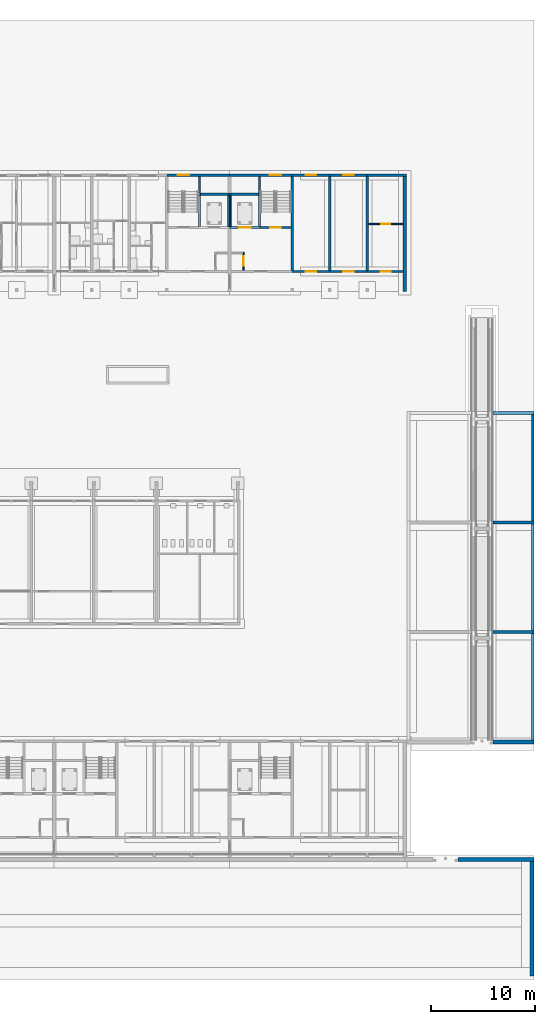
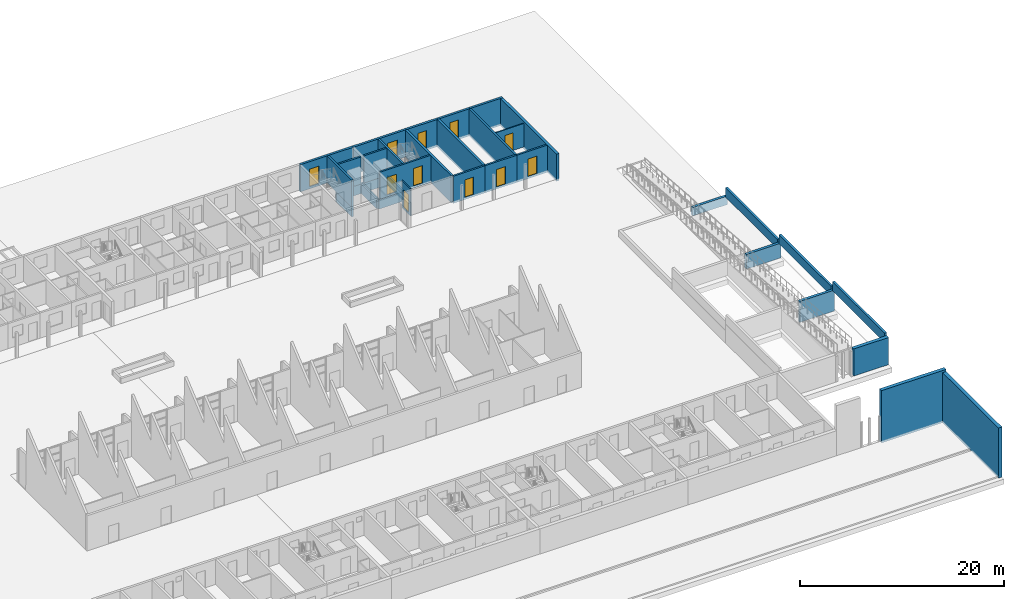
# One storey, part 70 of 112: 35 walls, 11 doors, 11 openings.
"""IFC4 building model written with IfcOpenShell, lengths in metres."""

from ifc_helpers import new_model, si_unit, direction, frame, frame_2d, origin, place, context, subcontext, project, spatial, rectangle, extrude, material, layer, layer_set, type_object, element, fill, save


model = new_model("IFC4")

# Units and contexts
model_context = context("Model", 3, precision=1e-05, world=origin(), true_north=direction((0.0, 1.0)))
body_context = subcontext(model_context, "Body", "Model", "MODEL_VIEW")
ifc_project = project(units=[si_unit("LENGTHUNIT", "METRE"), si_unit("AREAUNIT", "SQUARE_METRE"), si_unit("VOLUMEUNIT", "CUBIC_METRE"), si_unit("PLANEANGLEUNIT", "RADIAN"), si_unit("MASSUNIT", "GRAM", prefix="KILO")], contexts=[model_context])

# Site, building, storey
site_placement = place(None, origin())
site = spatial("IfcSite", under=ifc_project, at=site_placement, CompositionType="ELEMENT")
building_placement = place(site_placement, origin())
building = spatial("IfcBuilding", under=site, at=building_placement, Name="Ridgestep Commons", CompositionType="ELEMENT")
storey_placement = place(building_placement, origin())
storey = spatial("IfcBuildingStorey", under=building, at=storey_placement, Name="L00", CompositionType="ELEMENT", Elevation=0.0)

# Walls
ifc_material_1 = material(Name="Concrete C30/37", Category="concrete")
ifc_layer_1 = layer(ifc_material_1, 0.300048828125)
ifc_layer_set_1 = layer_set([ifc_layer_1], Name="Community retaining wall 300")
wall_type_1 = type_object("IfcWallType", Name="Community retaining wall 300", PredefinedType="SOLIDWALL", material=ifc_layer_set_1)
wall_1_placement = place(storey_placement, frame((256.050048828125, 54.35009765625, -0.25), z_axis=(0.0, 0.0, 1.0), x_axis=(1.0, 0.0, 0.0)))
element("IfcWall", 1, at=wall_1_placement, inside=storey, type_object=wall_type_1, Name="Bank step wall", PredefinedType="SOLIDWALL", context=body_context, shape_type="SweptSolid", body=[
    extrude(rectangle(XDim=3.93994140625, YDim=0.300048828125, at=frame_2d((1.969970703125, 0.0))), origin(), (0.0, 0.0, 1.0), 1.0),
])
wall_2_placement = place(storey_placement, frame((256.050048828125, 43.85009765625, -0.25), z_axis=(0.0, 0.0, 1.0), x_axis=(1.0, 0.0, 0.0)))
element("IfcWall", 2, at=wall_2_placement, inside=storey, type_object=wall_type_1, Name="Bank step wall", PredefinedType="SOLIDWALL", context=body_context, shape_type="SweptSolid", body=[
    extrude(rectangle(XDim=3.93994140625, YDim=0.300048828125, at=frame_2d((1.969970703125, 0.0))), origin(), (0.0, 0.0, 1.0), 1.75),
])
wall_3_placement = place(storey_placement, frame((256.050048828125, 33.35009765625, -0.25), z_axis=(0.0, 0.0, 1.0), x_axis=(1.0, 0.0, 0.0)))
element("IfcWall", 3, at=wall_3_placement, inside=storey, type_object=wall_type_1, Name="Bank step wall", PredefinedType="SOLIDWALL", context=body_context, shape_type="SweptSolid", body=[
    extrude(rectangle(XDim=3.93994140625, YDim=0.300048828125, at=frame_2d((1.969970703125, 0.0))), origin(), (0.0, 0.0, 1.0), 2.5),
])
ifc_material_2 = material(Name="Concrete C30/37", Category="concrete")
ifc_layer_2 = layer(ifc_material_2, 0.39990234375)
ifc_layer_set_2 = layer_set([ifc_layer_2], Name="Community retaining wall 400")
wall_type_2 = type_object("IfcWallType", Name="Community retaining wall 400", PredefinedType="SOLIDWALL", material=ifc_layer_set_2)
wall_4_placement = place(storey_placement, frame((256.050048828125, 22.800048828125, -0.25), z_axis=(0.0, 0.0, 1.0), x_axis=(1.0, 0.0, 0.0)))
element("IfcWall", 4, at=wall_4_placement, inside=storey, type_object=wall_type_2, Name="Community retaining wall 400", PredefinedType="SOLIDWALL", context=body_context, shape_type="SweptSolid", body=[
    extrude(rectangle(XDim=3.93994140625, YDim=0.39990234375, at=frame_2d((1.969970703125, 0.0))), origin(), (0.0, 0.0, 1.0), 3.25),
])
wall_5_placement = place(storey_placement, frame((252.699951171875, 11.550048828125, -0.25), z_axis=(0.0, 0.0, 1.0), x_axis=(1.0, 0.0, 0.0)))
element("IfcWall", 5, at=wall_5_placement, inside=storey, type_object=wall_type_2, Name="Community retaining wall 400", PredefinedType="SOLIDWALL", context=body_context, shape_type="SweptSolid", body=[
    extrude(rectangle(XDim=7.2900390625, YDim=0.39990234375, at=frame_2d((3.64501953125, 0.0))), origin(), (0.0, 0.0, 1.0), 6.25),
])
wall_6_placement = place(storey_placement, frame((259.798095703125, 0.402099609375, -0.25), z_axis=(0.0, 0.0, 1.0), x_axis=(0.0, 1.0, 0.0)))
element("IfcWall", 6, at=wall_6_placement, inside=storey, type_object=wall_type_2, Name="South arcade end wall", PredefinedType="SOLIDWALL", context=body_context, shape_type="SweptSolid", body=[
    extrude(rectangle(XDim=10.947998046875, YDim=0.39990234375, at=frame_2d((5.47412109375, 0.0))), origin(), (0.0, 0.0, 1.0), 6.0),
])
ifc_material_3 = material(Name="Precast concrete C40/50", Category="concrete")
ifc_layer_3 = layer(ifc_material_3, 0.25)
ifc_layer_set_3 = layer_set([ifc_layer_3], Name="Community terrace parapet 250")
wall_type_3 = type_object("IfcWallType", Name="Community terrace parapet 250", PredefinedType="PARAPET", material=ifc_layer_set_3)
for number, where, z_axis, x_axis, name in (
    (7, (259.864990234375, 44.0, 0.75), (0.0, 0.0, 1.0), (0.0, 1.0, 0.0), "Terrace parapet"),
    (8, (259.864990234375, 33.5, 1.5), (0.0, 0.0, 1.0), (0.0, 1.0, 0.0), "Terrace parapet"),
    (9, (259.864990234375, 23.0, 2.25), (0.0, 0.0, 1.0), (0.0, 1.0, 0.0), "Terrace parapet"),
):
    element("IfcWall", number, at=place(storey_placement, frame(where, z_axis=z_axis, x_axis=x_axis)), inside=storey, type_object=wall_type_3, Name=name, PredefinedType="PARAPET", context=body_context, shape_type="SweptSolid", body=[
        extrude(rectangle(XDim=10.199951171875, YDim=0.25, at=frame_2d((5.10009765625, 0.0))), origin(), (0.0, 0.0, 1.0), 1.10009765625),
    ])
ifc_material_4 = material(Name="Concrete C30/37", Category="concrete")
ifc_layer_4 = layer(ifc_material_4, 0.25)
ifc_layer_set_4 = layer_set([ifc_layer_4], Name="Core cross wall 250")
wall_type_4 = type_object("IfcWallType", Name="Core cross wall 250", PredefinedType="SHEAR", material=ifc_layer_set_4)
wall_7_placement = place(storey_placement, frame((236.800048828125, 68.0, -0.25), z_axis=(0.0, 0.0, 1.0), x_axis=(0.0, 1.0, 0.0)))
element("IfcWall", 10, at=wall_7_placement, inside=storey, type_object=wall_type_4, Name="Cross wall C-00-2368", PredefinedType="SHEAR", context=body_context, shape_type="SweptSolid", body=[
    extrude(rectangle(XDim=9.0, YDim=0.25, at=frame_2d((4.5, 0.0))), origin(), (0.0, 0.0, 1.0), 3.25),
])

# Wall, opening, door
ifc_material_5 = material(Name="Concrete C30/37", Category="concrete")
ifc_layer_5 = layer(ifc_material_5, 0.1201171875)
ifc_layer_set_5 = layer_set([ifc_layer_5], Name="Core wall 120")
wall_type_5 = type_object("IfcWallType", Name="Core wall 120", PredefinedType="SHEAR", material=ifc_layer_set_5)
wall_8_placement = place(storey_placement, frame((232.139892578125, 68.0, -0.25), z_axis=(0.0, 0.0, 1.0), x_axis=(0.0, 1.0, 0.0)))
wall_8 = element("IfcWall", 11, at=wall_8_placement, inside=storey, type_object=wall_type_5, Name="Core riser w wall C6C L00", PredefinedType="SHEAR", context=body_context, shape_type="SweptSolid", body=[
    extrude(rectangle(XDim=1.719970703125, YDim=0.1201171875, at=frame_2d((0.85986328125, 0.0))), origin(), (0.0, 0.0, 1.0), 3.25),
])
opening_1_placement = place(wall_8_placement, frame((0.449951171875, 0.0, 0.25)))
opening_1 = element("IfcOpeningElement", 12, at=opening_1_placement, cuts=wall_8, Name="Opening C6C/00/4", PredefinedType="OPENING", context=body_context, shape_type="SweptSolid", body=[
    extrude(rectangle(XDim=0.89990234375, YDim=2.10009765625, at=frame_2d((0.449951171875, 1.050048828125))), frame((0.0, 0.070068359375, 0.0), z_axis=(0.0, -1.0, 0.0), x_axis=(1.0, 0.0, 0.0)), (0.0, 0.0, 1.0), 0.14013671875),
])
ifc_material_6 = material(Name="Steel fire door", Category="steel")
door_type_1 = type_object("IfcDoorType", Name="Riser door 900 x 2100 FD60", OperationType="NOTDEFINED", PredefinedType="DOOR", material=ifc_material_6)
door_1_placement = place(opening_1_placement, origin())
door_1 = element("IfcDoor", 13, at=door_1_placement, inside=storey, type_object=door_type_1, Name="Riser door C6C/00/4", OperationType="SINGLE_SWING_RIGHT", OverallHeight=2.10009765625, OverallWidth=0.89990234375, PredefinedType="DOOR", context=body_context, shape_type="SweptSolid", body=[
    extrude(rectangle(XDim=0.89990234375, YDim=2.10009765625, at=frame_2d((0.449951171875, 1.050048828125))), frame((0.0, 0.02490234375, 0.0), z_axis=(0.0, -1.0, 0.0), x_axis=(1.0, 0.0, 0.0)), (0.0, 0.0, 1.0), 0.050048828125),
])
fill(opening_1, door_1)

# Walls
ifc_material_7 = material(Name="Concrete C30/37", Category="concrete")
ifc_layer_6 = layer(ifc_material_7, 0.14990234375)
ifc_layer_set_6 = layer_set([ifc_layer_6], Name="Core wall 150")
wall_type_6 = type_object("IfcWallType", Name="Core wall 150", PredefinedType="SHEAR", material=ifc_layer_set_6)
for number, where, z_axis, x_axis, name in (
    (14, (230.72509765625, 72.199951171875, -1.39990234375), (0.0, 0.0, 1.0), (0.0, 1.0, 0.0), "Lift pit wall C5C"),
    (15, (230.875, 72.199951171875, -1.39990234375), (0.0, 0.0, 1.0), (0.0, 1.0, 0.0), "Lift pit wall C6C"),
):
    element("IfcWall", number, at=place(storey_placement, frame(where, z_axis=z_axis, x_axis=x_axis)), inside=storey, type_object=wall_type_6, Name=name, PredefinedType="SHEAR", context=body_context, shape_type="SweptSolid", body=[
        extrude(rectangle(XDim=3.0, YDim=0.14990234375, at=frame_2d((1.5, 0.0))), origin(), (0.0, 0.0, 1.0), 1.14990234375),
    ])
ifc_material_8 = material(Name="Concrete C30/37", Category="concrete")
ifc_layer_7 = layer(ifc_material_8, 0.199951171875)
ifc_layer_set_7 = layer_set([ifc_layer_7], Name="Core wall 200")
wall_type_7 = type_object("IfcWallType", Name="Core wall 200", PredefinedType="SHEAR", material=ifc_layer_set_7)
wall_9_placement = place(storey_placement, frame((227.925048828125, 72.199951171875, -0.25), z_axis=(0.0, 0.0, 1.0), x_axis=(0.0, 1.0, 0.0)))
element("IfcWall", 16, at=wall_9_placement, inside=storey, type_object=wall_type_7, Name="Core stair wall C5C L00", PredefinedType="SHEAR", context=body_context, shape_type="SweptSolid", body=[
    extrude(rectangle(XDim=4.800048828125, YDim=0.199951171875, at=frame_2d((2.39990234375, 0.0))), origin(), (0.0, 0.0, 1.0), 3.25),
])
wall_10_placement = place(storey_placement, frame((228.02490234375, 75.300048828125, -0.25), z_axis=(0.0, 0.0, 1.0), x_axis=(1.0, 0.0, 0.0)))
element("IfcWall", 17, at=wall_10_placement, inside=storey, type_object=wall_type_7, Name="Core duct wall C5C L00", PredefinedType="SHEAR", context=body_context, shape_type="SweptSolid", body=[
    extrude(rectangle(XDim=2.625, YDim=0.199951171875, at=frame_2d((1.3125, 0.0))), origin(), (0.0, 0.0, 1.0), 3.25),
])

# Wall, openings, doors
wall_11_placement = place(storey_placement, frame((230.949951171875, 72.10009765625, -0.25), z_axis=(0.0, 0.0, 1.0), x_axis=(1.0, 0.0, 0.0)))
wall_11 = element("IfcWall", 18, at=wall_11_placement, inside=storey, type_object=wall_type_7, Name="Core lobby wall C6C L00", PredefinedType="SHEAR", context=body_context, shape_type="SweptSolid", body=[
    extrude(rectangle(XDim=5.72509765625, YDim=0.199951171875, at=frame_2d((2.862548828125, 0.0))), origin(), (0.0, 0.0, 1.0), 3.25),
])
opening_2_placement = place(wall_11_placement, frame((3.77490234375, 0.0, 0.25)))
opening_2 = element("IfcOpeningElement", 19, at=opening_2_placement, cuts=wall_11, Name="Opening C6C/00/2", PredefinedType="OPENING", context=body_context, shape_type="SweptSolid", body=[
    extrude(rectangle(XDim=1.0, YDim=2.10009765625, at=frame_2d((0.5, 1.050048828125))), frame((0.0, 0.10986328125, 0.0), z_axis=(0.0, -1.0, 0.0), x_axis=(1.0, 0.0, 0.0)), (0.0, 0.0, 1.0), 0.219970703125),
])
opening_3_placement = place(wall_11_placement, frame((0.762451171875, 0.0, 0.25)))
opening_3 = element("IfcOpeningElement", 20, at=opening_3_placement, cuts=wall_11, Name="Opening C6C/00/3", PredefinedType="OPENING", context=body_context, shape_type="SweptSolid", body=[
    extrude(rectangle(XDim=1.10009765625, YDim=2.10009765625, at=frame_2d((0.550048828125, 1.050048828125))), frame((0.0, 0.10986328125, 0.0), z_axis=(0.0, -1.0, 0.0), x_axis=(1.0, 0.0, 0.0)), (0.0, 0.0, 1.0), 0.219970703125),
])
ifc_material_9 = material(Name="Stainless steel", Category="steel")
door_type_2 = type_object("IfcDoorType", Name="Lift landing door 1100 x 2100 FD60", OperationType="DOUBLE_DOOR_SLIDING", PredefinedType="DOOR", material=ifc_material_9)
door_2_placement = place(opening_3_placement, origin())
door_2 = element("IfcDoor", 21, at=door_2_placement, inside=storey, type_object=door_type_2, Name="Landing door LD C6C L00", OperationType="DOUBLE_DOOR_SLIDING", OverallHeight=2.10009765625, OverallWidth=1.10009765625, PredefinedType="DOOR", context=body_context, shape_type="SweptSolid", body=[
    extrude(rectangle(XDim=1.10009765625, YDim=2.10009765625, at=frame_2d((0.550048828125, 1.050048828125))), frame((0.0, 0.02490234375, 0.0), z_axis=(0.0, -1.0, 0.0), x_axis=(1.0, 0.0, 0.0)), (0.0, 0.0, 1.0), 0.050048828125),
])
fill(opening_3, door_2)
ifc_material_10 = material(Name="Steel fire door", Category="steel")
door_type_3 = type_object("IfcDoorType", Name="Stair door 1000 x 2100 FD60", OperationType="NOTDEFINED", PredefinedType="DOOR", material=ifc_material_10)
door_3_placement = place(opening_2_placement, origin())
door_3 = element("IfcDoor", 22, at=door_3_placement, inside=storey, type_object=door_type_3, Name="Stair door C6C/00/2", OperationType="SINGLE_SWING_RIGHT", OverallHeight=2.10009765625, OverallWidth=1.0, PredefinedType="DOOR", context=body_context, shape_type="SweptSolid", body=[
    extrude(rectangle(XDim=1.0, YDim=2.10009765625, at=frame_2d((0.5, 1.050048828125))), frame((0.0, 0.02490234375, 0.0), z_axis=(0.0, -1.0, 0.0), x_axis=(1.0, 0.0, 0.0)), (0.0, 0.0, 1.0), 0.050048828125),
])
fill(opening_2, door_3)

# Walls
wall_12_placement = place(storey_placement, frame((233.675048828125, 72.199951171875, -0.25), z_axis=(0.0, 0.0, 1.0), x_axis=(0.0, 1.0, 0.0)))
element("IfcWall", 23, at=wall_12_placement, inside=storey, type_object=wall_type_7, Name="Core stair wall C6C L00", PredefinedType="SHEAR", context=body_context, shape_type="SweptSolid", body=[
    extrude(rectangle(XDim=4.800048828125, YDim=0.199951171875, at=frame_2d((2.39990234375, 0.0))), origin(), (0.0, 0.0, 1.0), 3.25),
])
wall_13_placement = place(storey_placement, frame((230.949951171875, 75.300048828125, -0.25), z_axis=(0.0, 0.0, 1.0), x_axis=(1.0, 0.0, 0.0)))
element("IfcWall", 24, at=wall_13_placement, inside=storey, type_object=wall_type_7, Name="Core duct wall C6C L00", PredefinedType="SHEAR", context=body_context, shape_type="SweptSolid", body=[
    extrude(rectangle(XDim=2.625, YDim=0.199951171875, at=frame_2d((1.3125, 0.0))), origin(), (0.0, 0.0, 1.0), 3.25),
])
wall_14_placement = place(storey_placement, frame((227.824951171875, 75.300048828125, -1.39990234375), z_axis=(0.0, 0.0, 1.0), x_axis=(1.0, 0.0, 0.0)))
element("IfcWall", 25, at=wall_14_placement, inside=storey, type_object=wall_type_7, Name="Lift pit wall C5C", PredefinedType="SHEAR", context=body_context, shape_type="SweptSolid", body=[
    extrude(rectangle(XDim=2.97509765625, YDim=0.199951171875, at=frame_2d((1.487548828125, 0.0))), origin(), (0.0, 0.0, 1.0), 1.14990234375),
])
wall_15_placement = place(storey_placement, frame((227.925048828125, 72.199951171875, -1.39990234375), z_axis=(0.0, 0.0, 1.0), x_axis=(0.0, 1.0, 0.0)))
element("IfcWall", 26, at=wall_15_placement, inside=storey, type_object=wall_type_7, Name="Lift pit wall C5C", PredefinedType="SHEAR", context=body_context, shape_type="SweptSolid", body=[
    extrude(rectangle(XDim=3.0, YDim=0.199951171875, at=frame_2d((1.5, 0.0))), origin(), (0.0, 0.0, 1.0), 1.14990234375),
])
for number, where, z_axis, x_axis, name in (
    (27, (230.800048828125, 72.10009765625, -1.39990234375), (0.0, 0.0, 1.0), (1.0, 0.0, 0.0), "Lift pit wall C6C"),
    (28, (230.800048828125, 75.300048828125, -1.39990234375), (0.0, 0.0, 1.0), (1.0, 0.0, 0.0), "Lift pit wall C6C"),
):
    element("IfcWall", number, at=place(storey_placement, frame(where, z_axis=z_axis, x_axis=x_axis)), inside=storey, type_object=wall_type_7, Name=name, PredefinedType="SHEAR", context=body_context, shape_type="SweptSolid", body=[
        extrude(rectangle(XDim=2.974853515625, YDim=0.199951171875, at=frame_2d((1.4873046875, 0.0))), origin(), (0.0, 0.0, 1.0), 1.14990234375),
    ])
wall_16_placement = place(storey_placement, frame((233.675048828125, 72.199951171875, -1.39990234375), z_axis=(0.0, 0.0, 1.0), x_axis=(0.0, 1.0, 0.0)))
element("IfcWall", 29, at=wall_16_placement, inside=storey, type_object=wall_type_7, Name="Lift pit wall C6C", PredefinedType="SHEAR", context=body_context, shape_type="SweptSolid", body=[
    extrude(rectangle(XDim=3.0, YDim=0.199951171875, at=frame_2d((1.5, 0.0))), origin(), (0.0, 0.0, 1.0), 1.14990234375),
])
ifc_material_11 = material(Name="Precast concrete C40/50", Category="concrete")
ifc_layer_8 = layer(ifc_material_11, 0.199951171875)
ifc_layer_set_8 = layer_set([ifc_layer_8], Name="Cross wall 200")
wall_type_8 = type_object("IfcWallType", Name="Cross wall 200", PredefinedType="SHEAR", material=ifc_layer_set_8)
wall_17_placement = place(storey_placement, frame((244.0, 68.0, -0.25), z_axis=(0.0, 0.0, 1.0), x_axis=(0.0, 1.0, 0.0)))
element("IfcWall", 30, at=wall_17_placement, inside=storey, type_object=wall_type_8, Name="Cross wall C-00-2440", PredefinedType="SHEAR", context=body_context, shape_type="SweptSolid", body=[
    extrude(rectangle(XDim=9.0, YDim=0.199951171875, at=frame_2d((4.5, 0.0))), origin(), (0.0, 0.0, 1.0), 3.25),
])
ifc_material_12 = material(Name="Precast concrete C40/50", Category="concrete")
ifc_layer_9 = layer(ifc_material_12, 0.25)
ifc_layer_set_9 = layer_set([ifc_layer_9], Name="Cross wall 250")
wall_type_9 = type_object("IfcWallType", Name="Cross wall 250", PredefinedType="SHEAR", material=ifc_layer_set_9)
wall_18_placement = place(storey_placement, frame((240.39990234375, 68.0, -0.25), z_axis=(0.0, 0.0, 1.0), x_axis=(0.0, 1.0, 0.0)))
element("IfcWall", 31, at=wall_18_placement, inside=storey, type_object=wall_type_9, Name="Cross wall C-00-2404", PredefinedType="SHEAR", context=body_context, shape_type="SweptSolid", body=[
    extrude(rectangle(XDim=9.0, YDim=0.25, at=frame_2d((4.5, 0.0))), origin(), (0.0, 0.0, 1.0), 3.25),
])
ifc_material_13 = material(Name="Precast concrete C40/50", Category="concrete")
ifc_layer_10 = layer(ifc_material_13, 0.300048828125)
ifc_layer_set_10 = layer_set([ifc_layer_10], Name="Exposed division wall 300")
wall_type_10 = type_object("IfcWallType", Name="Exposed division wall 300", PredefinedType="SHEAR", material=ifc_layer_set_10)
wall_19_placement = place(storey_placement, frame((247.60009765625, 66.0, -0.25), z_axis=(0.0, 0.0, 1.0), x_axis=(0.0, 1.0, 0.0)))
element("IfcWall", 32, at=wall_19_placement, inside=storey, type_object=wall_type_10, Name="Cross wall C-00-2476", PredefinedType="SHEAR", context=body_context, shape_type="SweptSolid", body=[
    extrude(rectangle(XDim=11.0, YDim=0.300048828125, at=frame_2d((5.5, 0.0))), origin(), (0.0, 0.0, 1.0), 3.25),
])

# Wall, opening, door
ifc_material_14 = material(Name="Precast concrete C40/50", Category="concrete")
ifc_layer_11 = layer(ifc_material_14, 0.25)
ifc_layer_set_11 = layer_set([ifc_layer_11], Name="North facade panel 250")
wall_type_11 = type_object("IfcWallType", Name="North facade panel 250", PredefinedType="SOLIDWALL", material=ifc_layer_set_11)
wall_20_placement = place(storey_placement, frame((224.800048828125, 77.125, -0.25), z_axis=(0.0, 0.0, 1.0), x_axis=(1.0, 0.0, 0.0)))
wall_20 = element("IfcWall", 33, at=wall_20_placement, inside=storey, type_object=wall_type_11, Name="North panel C5C L00", PredefinedType="SOLIDWALL", context=body_context, shape_type="SweptSolid", body=[
    extrude(rectangle(XDim=6.0, YDim=0.25, at=frame_2d((3.0, 0.0))), origin(), (0.0, 0.0, 1.0), 3.25),
])
opening_4_placement = place(wall_20_placement, frame((1.02490234375, 0.0, 0.25)))
opening_4 = element("IfcOpeningElement", 34, at=opening_4_placement, cuts=wall_20, Name="Opening C5C/00/5", PredefinedType="OPENING", context=body_context, shape_type="SweptSolid", body=[
    extrude(rectangle(XDim=1.10009765625, YDim=2.10009765625, at=frame_2d((0.550048828125, 1.050048828125))), frame((0.0, 0.135009765625, 0.0), z_axis=(0.0, -1.0, 0.0), x_axis=(1.0, 0.0, 0.0)), (0.0, 0.0, 1.0), 0.27001953125),
])
ifc_material_15 = material(Name="Steel fire door", Category="steel")
door_type_4 = type_object("IfcDoorType", Name="Stair exit door 1100 x 2100 FD60", OperationType="NOTDEFINED", PredefinedType="DOOR", material=ifc_material_15)
door_4_placement = place(opening_4_placement, origin())
door_4 = element("IfcDoor", 35, at=door_4_placement, inside=storey, type_object=door_type_4, Name="Stair exit door C5C/00/5", OperationType="SINGLE_SWING_LEFT", OverallHeight=2.10009765625, OverallWidth=1.10009765625, PredefinedType="DOOR", context=body_context, shape_type="SweptSolid", body=[
    extrude(rectangle(XDim=1.10009765625, YDim=2.10009765625, at=frame_2d((0.550048828125, 1.050048828125))), frame((0.0, 0.02490234375, 0.0), z_axis=(0.0, -1.0, 0.0), x_axis=(1.0, 0.0, 0.0)), (0.0, 0.0, 1.0), 0.050048828125),
])
fill(opening_4, door_4)

wall_21_placement = place(storey_placement, frame((230.800048828125, 77.125, -0.25), z_axis=(0.0, 0.0, 1.0), x_axis=(1.0, 0.0, 0.0)))
wall_21 = element("IfcWall", 36, at=wall_21_placement, inside=storey, type_object=wall_type_11, Name="North panel C6C L00", PredefinedType="SOLIDWALL", context=body_context, shape_type="SweptSolid", body=[
    extrude(rectangle(XDim=6.0, YDim=0.25, at=frame_2d((3.0, 0.0))), origin(), (0.0, 0.0, 1.0), 3.25),
])
opening_5_placement = place(wall_21_placement, frame((3.875, 0.0, 0.25)))
opening_5 = element("IfcOpeningElement", 37, at=opening_5_placement, cuts=wall_21, Name="Opening C6C/00/5", PredefinedType="OPENING", context=body_context, shape_type="SweptSolid", body=[
    extrude(rectangle(XDim=1.10009765625, YDim=2.10009765625, at=frame_2d((0.550048828125, 1.050048828125))), frame((0.0, 0.135009765625, 0.0), z_axis=(0.0, -1.0, 0.0), x_axis=(1.0, 0.0, 0.0)), (0.0, 0.0, 1.0), 0.27001953125),
])
door_5_placement = place(opening_5_placement, origin())
door_5 = element("IfcDoor", 38, at=door_5_placement, inside=storey, type_object=door_type_4, Name="Stair exit door C6C/00/5", OperationType="SINGLE_SWING_LEFT", OverallHeight=2.10009765625, OverallWidth=1.10009765625, PredefinedType="DOOR", context=body_context, shape_type="SweptSolid", body=[
    extrude(rectangle(XDim=1.10009765625, YDim=2.10009765625, at=frame_2d((0.550048828125, 1.050048828125))), frame((0.0, 0.02490234375, 0.0), z_axis=(0.0, -1.0, 0.0), x_axis=(1.0, 0.0, 0.0)), (0.0, 0.0, 1.0), 0.050048828125),
])
fill(opening_5, door_5)

wall_22_placement = place(storey_placement, frame((236.800048828125, 77.125, -0.25), z_axis=(0.0, 0.0, 1.0), x_axis=(1.0, 0.0, 0.0)))
wall_22 = element("IfcWall", 39, at=wall_22_placement, inside=storey, type_object=wall_type_11, Name="North panel C6T3 L00", PredefinedType="SOLIDWALL", context=body_context, shape_type="SweptSolid", body=[
    extrude(rectangle(XDim=3.599853515625, YDim=0.25, at=frame_2d((1.7998046875, 0.0))), origin(), (0.0, 0.0, 1.0), 3.25),
])
opening_6_placement = place(wall_22_placement, frame((1.300048828125, 0.0, 0.25)))
opening_6 = element("IfcOpeningElement", 40, at=opening_6_placement, cuts=wall_22, Name="Opening C6-00s/2", PredefinedType="OPENING", context=body_context, shape_type="SweptSolid", body=[
    extrude(rectangle(XDim=1.0, YDim=2.10009765625, at=frame_2d((0.5, 1.050048828125))), frame((0.0, 0.135009765625, 0.0), z_axis=(0.0, -1.0, 0.0), x_axis=(1.0, 0.0, 0.0)), (0.0, 0.0, 1.0), 0.27001953125),
])
ifc_material_16 = material(Name="Steel door leaf", Category="steel")
door_type_5 = type_object("IfcDoorType", Name="Exterior door 1000 x 2100", OperationType="NOTDEFINED", PredefinedType="DOOR", material=ifc_material_16)
door_6_placement = place(opening_6_placement, origin())
door_6 = element("IfcDoor", 41, at=door_6_placement, inside=storey, type_object=door_type_5, Name="Exterior door C6-00s/2", OperationType="SINGLE_SWING_LEFT", OverallHeight=2.10009765625, OverallWidth=1.0, PredefinedType="DOOR", context=body_context, shape_type="SweptSolid", body=[
    extrude(rectangle(XDim=1.0, YDim=2.10009765625, at=frame_2d((0.5, 1.050048828125))), frame((0.0, 0.02490234375, 0.0), z_axis=(0.0, -1.0, 0.0), x_axis=(1.0, 0.0, 0.0)), (0.0, 0.0, 1.0), 0.050048828125),
])
fill(opening_6, door_6)

wall_23_placement = place(storey_placement, frame((240.39990234375, 77.125, -0.25), z_axis=(0.0, 0.0, 1.0), x_axis=(1.0, 0.0, 0.0)))
wall_23 = element("IfcWall", 42, at=wall_23_placement, inside=storey, type_object=wall_type_11, Name="North panel C6T2 L00", PredefinedType="SOLIDWALL", context=body_context, shape_type="SweptSolid", body=[
    extrude(rectangle(XDim=3.60009765625, YDim=0.25, at=frame_2d((1.800048828125, 0.0))), origin(), (0.0, 0.0, 1.0), 3.25),
])
opening_7_placement = place(wall_23_placement, frame((1.3125, 0.0, 0.25)))
opening_7 = element("IfcOpeningElement", 43, at=opening_7_placement, cuts=wall_23, Name="Opening C6-00s/4", PredefinedType="OPENING", context=body_context, shape_type="SweptSolid", body=[
    extrude(rectangle(XDim=1.0, YDim=2.10009765625, at=frame_2d((0.5, 1.050048828125))), frame((0.0, 0.135009765625, 0.0), z_axis=(0.0, -1.0, 0.0), x_axis=(1.0, 0.0, 0.0)), (0.0, 0.0, 1.0), 0.27001953125),
])
door_7_placement = place(opening_7_placement, origin())
door_7 = element("IfcDoor", 44, at=door_7_placement, inside=storey, type_object=door_type_5, Name="Exterior door C6-00s/4", OperationType="SINGLE_SWING_LEFT", OverallHeight=2.10009765625, OverallWidth=1.0, PredefinedType="DOOR", context=body_context, shape_type="SweptSolid", body=[
    extrude(rectangle(XDim=1.0, YDim=2.10009765625, at=frame_2d((0.5, 1.050048828125))), frame((0.0, 0.02490234375, 0.0), z_axis=(0.0, -1.0, 0.0), x_axis=(1.0, 0.0, 0.0)), (0.0, 0.0, 1.0), 0.050048828125),
])
fill(opening_7, door_7)

# Wall
wall_24_placement = place(storey_placement, frame((244.0, 77.125, -0.25), z_axis=(0.0, 0.0, 1.0), x_axis=(1.0, 0.0, 0.0)))
element("IfcWall", 45, at=wall_24_placement, inside=storey, type_object=wall_type_11, Name="North panel C6T1 L00", PredefinedType="SOLIDWALL", context=body_context, shape_type="SweptSolid", body=[
    extrude(rectangle(XDim=3.75, YDim=0.25, at=frame_2d((1.875, 0.0))), origin(), (0.0, 0.0, 1.0), 3.25),
])

# Wall, opening, door
ifc_material_17 = material(Name="Common brick 110 mm", Category="masonry")
ifc_layer_12 = layer(ifc_material_17, 0.110107421875)
ifc_layer_set_12 = layer_set([ifc_layer_12], Name="Partition 110")
wall_type_12 = type_object("IfcWallType", Name="Partition 110", PredefinedType="PARTITIONING", material=ifc_layer_set_12)
wall_25_placement = place(storey_placement, frame((244.10009765625, 72.455078125, 0.0), z_axis=(0.0, 0.0, 1.0), x_axis=(1.0, 0.0, 0.0)))
wall_25 = element("IfcWall", 46, at=wall_25_placement, inside=storey, type_object=wall_type_12, Name="Partition C6-00s", PredefinedType="PARTITIONING", context=body_context, shape_type="SweptSolid", body=[
    extrude(rectangle(XDim=3.349853515625, YDim=0.110107421875, at=frame_2d((1.6748046875, 0.0))), origin(), (0.0, 0.0, 1.0), 2.800048828125),
])
opening_8_placement = place(wall_25_placement, frame((1.22509765625, 0.0, 0.0)))
opening_8 = element("IfcOpeningElement", 47, at=opening_8_placement, cuts=wall_25, Name="Opening C6-00s/6", PredefinedType="OPENING", context=body_context, shape_type="SweptSolid", body=[
    extrude(rectangle(XDim=0.89990234375, YDim=2.10009765625, at=frame_2d((0.449951171875, 1.050048828125))), frame((0.0, 0.06494140625, 0.0), z_axis=(0.0, -1.0, 0.0), x_axis=(1.0, 0.0, 0.0)), (0.0, 0.0, 1.0), 0.130126953125),
])
ifc_material_18 = material(Name="Timber door leaf", Category="wood")
door_type_6 = type_object("IfcDoorType", Name="Internal door 900 x 2100 FD60", OperationType="NOTDEFINED", PredefinedType="DOOR", material=ifc_material_18)
door_8_placement = place(opening_8_placement, origin())
door_8 = element("IfcDoor", 48, at=door_8_placement, inside=storey, type_object=door_type_6, Name="Internal door C6-00s/6", OperationType="SINGLE_SWING_RIGHT", OverallHeight=2.10009765625, OverallWidth=0.89990234375, PredefinedType="DOOR", context=body_context, shape_type="SweptSolid", body=[
    extrude(rectangle(XDim=0.89990234375, YDim=2.10009765625, at=frame_2d((0.449951171875, 1.050048828125))), frame((0.0, 0.02490234375, 0.0), z_axis=(0.0, -1.0, 0.0), x_axis=(1.0, 0.0, 0.0)), (0.0, 0.0, 1.0), 0.050048828125),
])
fill(opening_8, door_8)

ifc_material_19 = material(Name="Precast concrete C40/50", Category="concrete")
ifc_layer_13 = layer(ifc_material_19, 0.199951171875)
ifc_layer_set_13 = layer_set([ifc_layer_13], Name="South facade panel 200")
wall_type_13 = type_object("IfcWallType", Name="South facade panel 200", PredefinedType="SOLIDWALL", material=ifc_layer_set_13)
wall_26_placement = place(storey_placement, frame((236.800048828125, 67.89990234375, -0.25), z_axis=(0.0, 0.0, 1.0), x_axis=(1.0, 0.0, 0.0)))
wall_26 = element("IfcWall", 49, at=wall_26_placement, inside=storey, type_object=wall_type_13, Name="South panel C6T3 L00", PredefinedType="SOLIDWALL", context=body_context, shape_type="SweptSolid", body=[
    extrude(rectangle(XDim=3.599853515625, YDim=0.199951171875, at=frame_2d((1.7998046875, 0.0))), origin(), (0.0, 0.0, 1.0), 3.25),
])
opening_9_placement = place(wall_26_placement, frame((1.300048828125, 0.0, 0.25)))
opening_9 = element("IfcOpeningElement", 50, at=opening_9_placement, cuts=wall_26, Name="Opening C6-00s/1", PredefinedType="OPENING", context=body_context, shape_type="SweptSolid", body=[
    extrude(rectangle(XDim=1.0, YDim=2.10009765625, at=frame_2d((0.5, 1.050048828125))), frame((0.0, 0.10986328125, 0.0), z_axis=(0.0, -1.0, 0.0), x_axis=(1.0, 0.0, 0.0)), (0.0, 0.0, 1.0), 0.219970703125),
])
ifc_material_20 = material(Name="Steel door leaf", Category="steel")
door_type_7 = type_object("IfcDoorType", Name="Store door 1000 x 2100", OperationType="NOTDEFINED", PredefinedType="DOOR", material=ifc_material_20)
door_9_placement = place(opening_9_placement, origin())
door_9 = element("IfcDoor", 51, at=door_9_placement, inside=storey, type_object=door_type_7, Name="Store door C6-00s/1", OperationType="SINGLE_SWING_RIGHT", OverallHeight=2.10009765625, OverallWidth=1.0, PredefinedType="DOOR", context=body_context, shape_type="SweptSolid", body=[
    extrude(rectangle(XDim=1.0, YDim=2.10009765625, at=frame_2d((0.5, 1.050048828125))), frame((0.0, 0.02490234375, 0.0), z_axis=(0.0, -1.0, 0.0), x_axis=(1.0, 0.0, 0.0)), (0.0, 0.0, 1.0), 0.050048828125),
])
fill(opening_9, door_9)

wall_27_placement = place(storey_placement, frame((240.39990234375, 67.89990234375, -0.25), z_axis=(0.0, 0.0, 1.0), x_axis=(1.0, 0.0, 0.0)))
wall_27 = element("IfcWall", 52, at=wall_27_placement, inside=storey, type_object=wall_type_13, Name="South panel C6T2 L00", PredefinedType="SOLIDWALL", context=body_context, shape_type="SweptSolid", body=[
    extrude(rectangle(XDim=3.60009765625, YDim=0.199951171875, at=frame_2d((1.800048828125, 0.0))), origin(), (0.0, 0.0, 1.0), 3.25),
])
opening_10_placement = place(wall_27_placement, frame((1.3125, 0.0, 0.25)))
opening_10 = element("IfcOpeningElement", 53, at=opening_10_placement, cuts=wall_27, Name="Opening C6-00s/3", PredefinedType="OPENING", context=body_context, shape_type="SweptSolid", body=[
    extrude(rectangle(XDim=1.0, YDim=2.10009765625, at=frame_2d((0.5, 1.050048828125))), frame((0.0, 0.10986328125, 0.0), z_axis=(0.0, -1.0, 0.0), x_axis=(1.0, 0.0, 0.0)), (0.0, 0.0, 1.0), 0.219970703125),
])
door_10_placement = place(opening_10_placement, origin())
door_10 = element("IfcDoor", 54, at=door_10_placement, inside=storey, type_object=door_type_7, Name="Store door C6-00s/3", OperationType="SINGLE_SWING_RIGHT", OverallHeight=2.10009765625, OverallWidth=1.0, PredefinedType="DOOR", context=body_context, shape_type="SweptSolid", body=[
    extrude(rectangle(XDim=1.0, YDim=2.10009765625, at=frame_2d((0.5, 1.050048828125))), frame((0.0, 0.02490234375, 0.0), z_axis=(0.0, -1.0, 0.0), x_axis=(1.0, 0.0, 0.0)), (0.0, 0.0, 1.0), 0.050048828125),
])
fill(opening_10, door_10)

wall_28_placement = place(storey_placement, frame((244.0, 67.89990234375, -0.25), z_axis=(0.0, 0.0, 1.0), x_axis=(1.0, 0.0, 0.0)))
wall_28 = element("IfcWall", 55, at=wall_28_placement, inside=storey, type_object=wall_type_13, Name="South panel C6T1 L00", PredefinedType="SOLIDWALL", context=body_context, shape_type="SweptSolid", body=[
    extrude(rectangle(XDim=3.449951171875, YDim=0.199951171875, at=frame_2d((1.72509765625, 0.0))), origin(), (0.0, 0.0, 1.0), 3.25),
])
opening_11_placement = place(wall_28_placement, frame((1.27490234375, 0.0, 0.25)))
opening_11 = element("IfcOpeningElement", 56, at=opening_11_placement, cuts=wall_28, Name="Opening C6-00s/5", PredefinedType="OPENING", context=body_context, shape_type="SweptSolid", body=[
    extrude(rectangle(XDim=1.0, YDim=2.10009765625, at=frame_2d((0.5, 1.050048828125))), frame((0.0, 0.10986328125, 0.0), z_axis=(0.0, -1.0, 0.0), x_axis=(1.0, 0.0, 0.0)), (0.0, 0.0, 1.0), 0.219970703125),
])
door_11_placement = place(opening_11_placement, origin())
door_11 = element("IfcDoor", 57, at=door_11_placement, inside=storey, type_object=door_type_7, Name="Store door C6-00s/5", OperationType="SINGLE_SWING_RIGHT", OverallHeight=2.10009765625, OverallWidth=1.0, PredefinedType="DOOR", context=body_context, shape_type="SweptSolid", body=[
    extrude(rectangle(XDim=1.0, YDim=2.10009765625, at=frame_2d((0.5, 1.050048828125))), frame((0.0, 0.02490234375, 0.0), z_axis=(0.0, -1.0, 0.0), x_axis=(1.0, 0.0, 0.0)), (0.0, 0.0, 1.0), 0.050048828125),
])
fill(opening_11, door_11)

save(model, "model.ifc")
